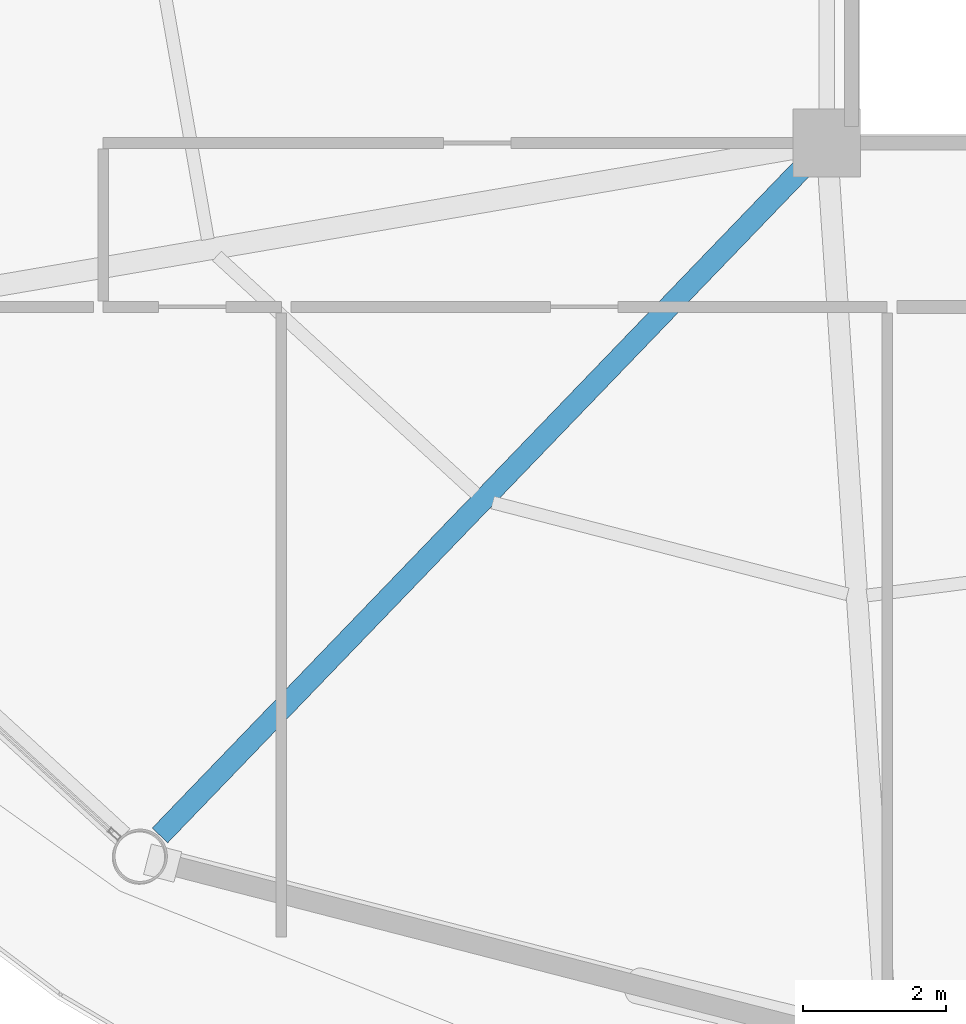
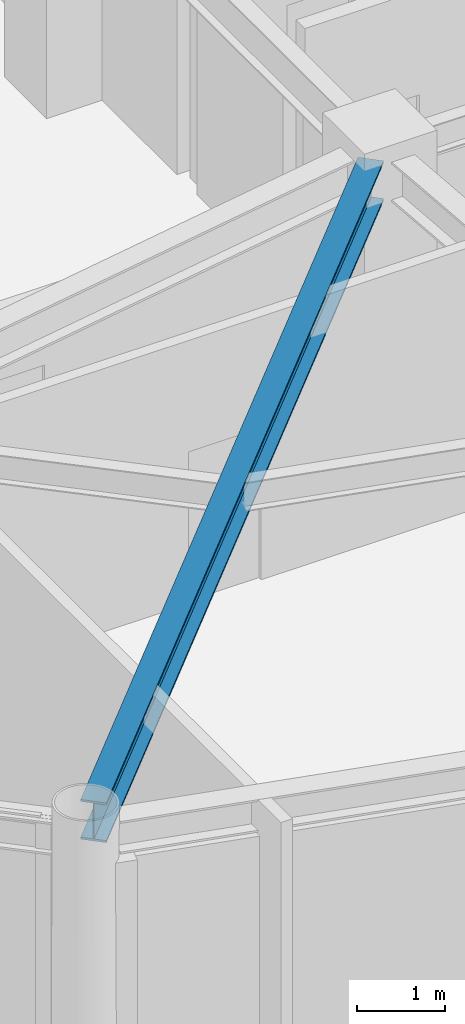
# One storey, part 3 of 23: 1 beam.
"""IFC4 building model written with IfcOpenShell, lengths in metres."""

from ifc_helpers import new_model, si_unit, direction, frame, origin, origin_2d, place, context, subcontext, project, spatial, i_section, extrude, material, material_profile, profile_set, type_object, element, save


model = new_model("IFC4")

# Units and contexts
model_context = context("Model", 3, precision=1e-05, world=origin(), true_north=direction((0.0, 1.0)))
body_context = subcontext(model_context, "Body", "Model", "MODEL_VIEW")
ifc_project = project(units=[si_unit("LENGTHUNIT", "METRE"), si_unit("AREAUNIT", "SQUARE_METRE"), si_unit("VOLUMEUNIT", "CUBIC_METRE"), si_unit("PLANEANGLEUNIT", "RADIAN"), si_unit("MASSUNIT", "GRAM", prefix="KILO")], contexts=[model_context])

# Site, building, storey
site_placement = place(None, origin())
site = spatial("IfcSite", under=ifc_project, at=site_placement, CompositionType="ELEMENT")
building_placement = place(site_placement, origin())
building = spatial("IfcBuilding", under=site, at=building_placement, Name="Varnakorn Sky Granary", CompositionType="ELEMENT")
storey_placement = place(building_placement, frame((0.0, 0.0, 130.5)))
storey = spatial("IfcBuildingStorey", under=building, at=storey_placement, Name="L32", CompositionType="ELEMENT", Elevation=130.5)

# Beam
ifc_material = material(Name="Steel S355JR", Category="steel")
ifc_material_profile = material_profile(ifc_material, i_section(OverallWidth=0.300048828125, OverallDepth=0.550048828125, WebThickness=0.014892578125, FlangeThickness=0.029052734375, at=origin_2d()), Name="HE 550 B")
ifc_profile_set = profile_set([ifc_material_profile], Name="Steel S355JR")
beam_type = type_object("IfcBeamType", Name="BM-RAD-Z3", PredefinedType="BEAM", material=ifc_profile_set)
beam_placement = place(storey_placement, frame((-2.641357421875, -6.902587890625, 3.364990234375), z_axis=(-0.693563765097, -0.72039524134, 0.0), x_axis=(0.72039524134, -0.693563765097, 0.0)))
element("IfcBeam", 1, at=beam_placement, inside=storey, type_object=beam_type, Name="Radial Floor Girder RG09 L32", PredefinedType="BEAM", context=body_context, shape_type="SweptSolid", body=[
    extrude(i_section(OverallWidth=0.300048828125, OverallDepth=0.550048828125, WebThickness=0.014892578125, FlangeThickness=0.029052734375, at=origin_2d()), origin(), (0.0, 0.0, 1.0), 13.066162109375),
])

save(model, "model.ifc")
